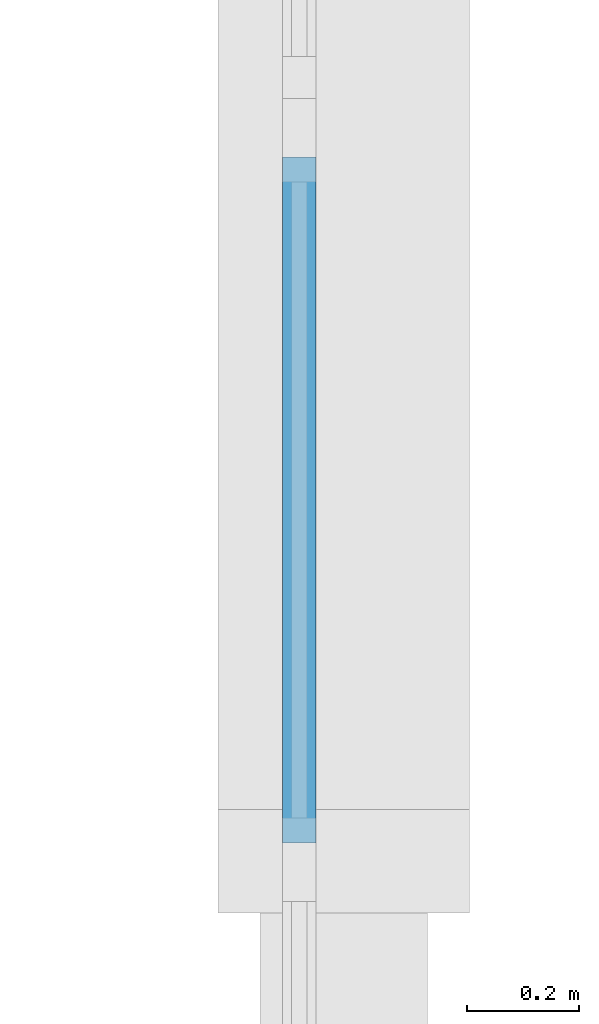
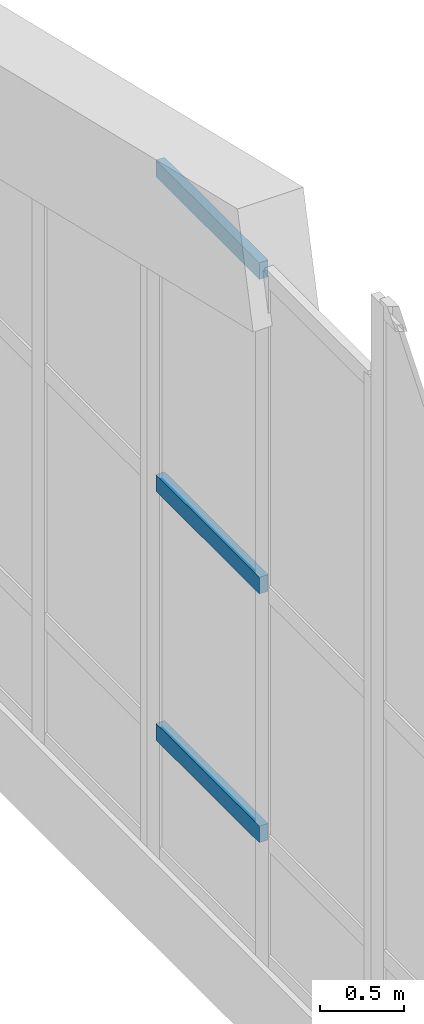
# One storey, part 11 of 78: 3 members, 1 element without a shape of its own.
"""IFC4 building model written with IfcOpenShell, lengths in metres."""

from ifc_helpers import new_model, si_unit, direction, frame, origin, origin_2d, place, context, subcontext, project, spatial, rectangle, extrude, material, material_profile, profile_set, type_object, element, aggregate, save


model = new_model("IFC4")

# Units and contexts
model_context = context("Model", 3, precision=1e-05, world=origin(), true_north=direction((0.0, 1.0)))
body_context = subcontext(model_context, "Body", "Model", "MODEL_VIEW")
ifc_project = project(units=[si_unit("LENGTHUNIT", "METRE"), si_unit("AREAUNIT", "SQUARE_METRE"), si_unit("VOLUMEUNIT", "CUBIC_METRE"), si_unit("PLANEANGLEUNIT", "RADIAN"), si_unit("MASSUNIT", "GRAM", prefix="KILO")], contexts=[model_context])

# Site, building, storey
site_placement = place(None, origin())
site = spatial("IfcSite", under=ifc_project, at=site_placement, CompositionType="ELEMENT")
building_placement = place(site_placement, origin())
building = spatial("IfcBuilding", under=site, at=building_placement, Name="Qaldarim Faculty of Natural and Applied Sciences", CompositionType="ELEMENT")
storey_placement = place(building_placement, frame((0.0, 0.0, 18.60009765625)))
storey = spatial("IfcBuildingStorey", under=building, at=storey_placement, Name="L04", CompositionType="ELEMENT", Elevation=18.60009765625)

# Curtain wall, members
ifc_material = material(Name="Anodised aluminium AW-6063", Category="aluminium")
curtain_wall_type = type_object("IfcCurtainWallType", Name="CurtainWallSystem-M1300", PredefinedType="USERDEFINED", material=ifc_material)
curtain_wall_placement = place(storey_placement, origin())
curtain_wall = element("IfcCurtainWall", 1, at=curtain_wall_placement, inside=storey, type_object=curtain_wall_type, Name="Curtain wall CW-GABLE-L04-E-Y08-2", ObjectType="STICK CURTAIN WALL", PredefinedType="USERDEFINED")
ifc_material_profile = material_profile(ifc_material, rectangle(XDim=0.06005859375, YDim=0.1201171875, at=origin_2d()), Name="ALU-T60x120")
ifc_profile_set = profile_set([ifc_material_profile], Name="Anodised aluminium AW-6063")
member_type = type_object("IfcMemberType", Name="Transom-ALU60x120", PredefinedType="USERDEFINED", material=ifc_profile_set)
member_1_placement = place(storey_placement, frame((46.1201171875, 63.032470703125, 0.639892578125), z_axis=(0.0, 1.0, 0.0), x_axis=(-1.0, 0.0, 0.0)))
member_1 = element("IfcMember", 2, at=member_1_placement, type_object=member_type, Name="Transom 2-2 of CW-GABLE-L04-E-Y08-2", ObjectType="TRANSOM", PredefinedType="USERDEFINED", context=body_context, shape_type="SweptSolid", body=[
    extrude(rectangle(XDim=0.06005859375, YDim=0.1201171875, at=origin_2d()), origin(), (0.0, 0.0, 1.0), 1.2275390625),
])
member_2_placement = place(storey_placement, frame((46.1201171875, 63.032470703125, 2.43994140625), z_axis=(0.0, 1.0, 0.0), x_axis=(-1.0, 0.0, 0.0)))
member_2 = element("IfcMember", 3, at=member_2_placement, type_object=member_type, Name="Transom 2-3 of CW-GABLE-L04-E-Y08-2", ObjectType="TRANSOM", PredefinedType="USERDEFINED", context=body_context, shape_type="SweptSolid", body=[
    extrude(rectangle(XDim=0.06005859375, YDim=0.1201171875, at=origin_2d()), origin(), (0.0, 0.0, 1.0), 1.2275390625),
])
member_3_placement = place(storey_placement, frame((46.1201171875, 63.032470703125, 4.71484375), z_axis=(0.0, 1.0, 0.0), x_axis=(-1.0, 0.0, 0.0)))
member_3 = element("IfcMember", 4, at=member_3_placement, type_object=member_type, Name="Transom 2-4 of CW-GABLE-L04-E-Y08-2", ObjectType="TRANSOM", PredefinedType="USERDEFINED", context=body_context, shape_type="SweptSolid", body=[
    extrude(rectangle(XDim=0.06005859375, YDim=0.1201171875, at=origin_2d()), origin(), (0.0, 0.0, 1.0), 1.2275390625),
])
aggregate(curtain_wall, [member_1, member_2, member_3])

save(model, "model.ifc")
